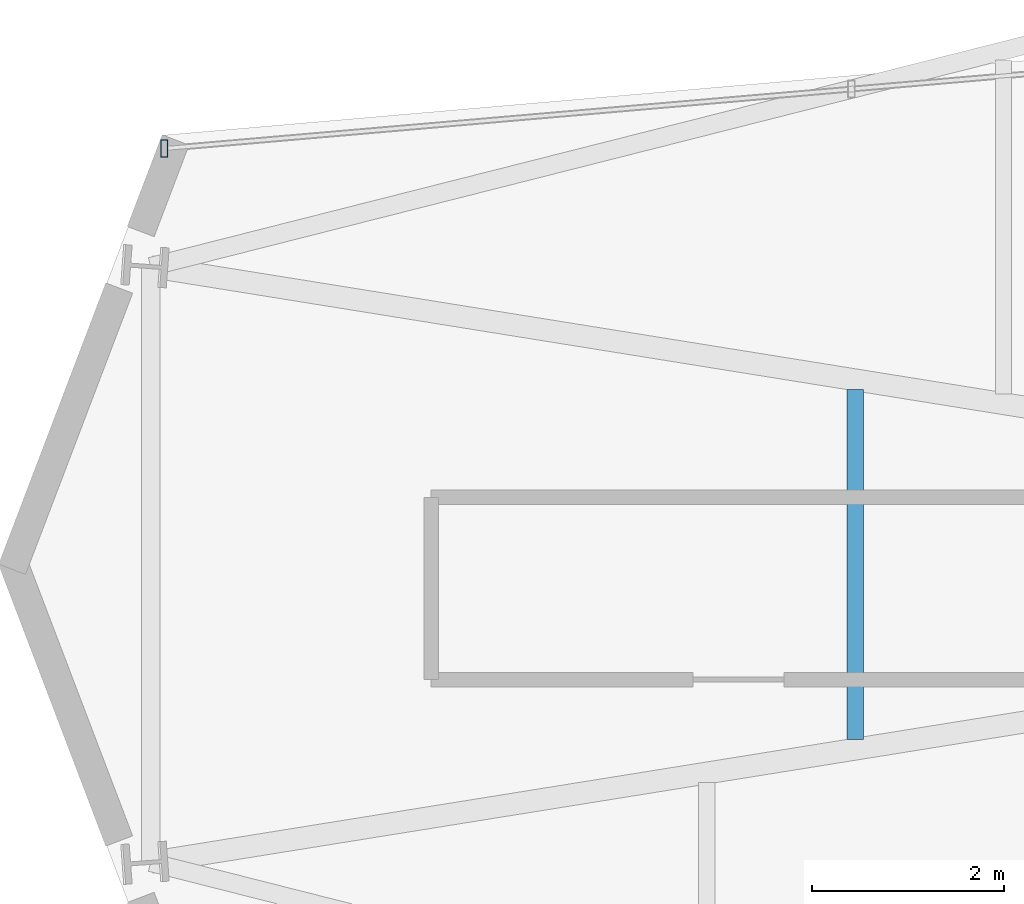
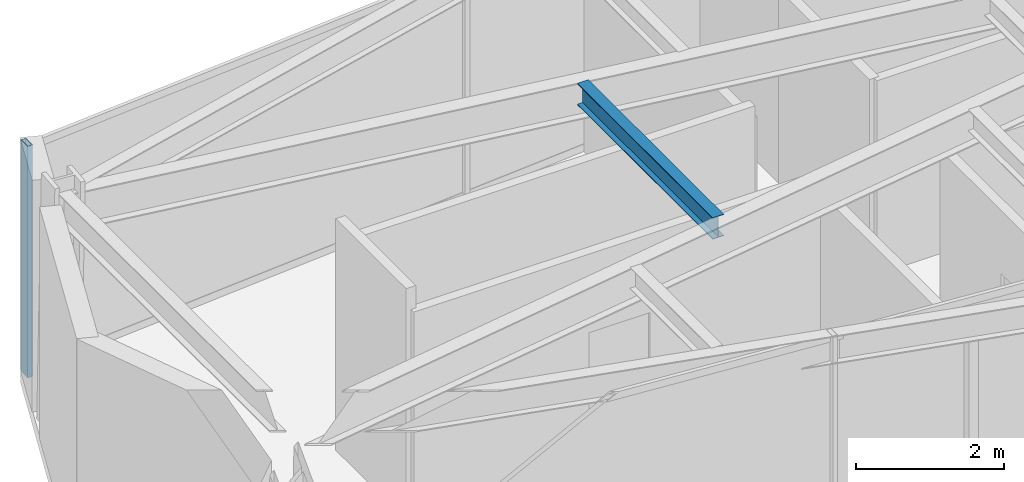
# One storey, part 7 of 23: 1 beam, 1 member, 1 element without a shape of its own.
"""IFC4 building model written with IfcOpenShell, lengths in metres."""

from ifc_helpers import new_model, si_unit, direction, frame, origin, origin_2d, place, context, subcontext, project, spatial, hollow_rectangle, i_section, extrude, material, layer, layer_set, material_profile, profile_set, type_object, element, aggregate, save


model = new_model("IFC4")

# Units and contexts
model_context = context("Model", 3, precision=1e-05, world=origin(), true_north=direction((0.0, 1.0)))
body_context = subcontext(model_context, "Body", "Model", "MODEL_VIEW")
ifc_project = project(units=[si_unit("LENGTHUNIT", "METRE"), si_unit("AREAUNIT", "SQUARE_METRE"), si_unit("VOLUMEUNIT", "CUBIC_METRE"), si_unit("PLANEANGLEUNIT", "RADIAN"), si_unit("MASSUNIT", "GRAM", prefix="KILO")], contexts=[model_context])

# Site, building, storey
site_placement = place(None, origin())
site = spatial("IfcSite", under=ifc_project, at=site_placement, CompositionType="ELEMENT")
building_placement = place(site_placement, origin())
building = spatial("IfcBuilding", under=site, at=building_placement, Name="Veymaron Broadcast Tower", CompositionType="ELEMENT")
storey_placement = place(building_placement, frame((0.0, 0.0, 161.39990234375)))
storey = spatial("IfcBuildingStorey", under=building, at=storey_placement, Name="L37", CompositionType="ELEMENT", Elevation=161.39990234375)

# Beam
ifc_material_1 = material(Name="Structural steel ASTM A992 Gr 50", Category="steel")
ifc_material_profile_1 = material_profile(ifc_material_1, i_section(OverallWidth=0.1708984375, OverallDepth=0.35498046875, WebThickness=0.007080078125, FlangeThickness=0.01171875, at=origin_2d()), Name="W360X51")
ifc_profile_set_1 = profile_set([ifc_material_profile_1], Name="Structural steel ASTM A992 Gr 50")
beam_type = type_object("IfcBeamType", Name="BM-JS2", PredefinedType="JOIST", material=ifc_profile_set_1)
beam_placement = place(storey_placement, frame((19.216064453125, 22.1748046875, 3.632568359375), z_axis=(0.0, 1.0, 0.0), x_axis=(-1.0, 0.0, 0.0)))
element("IfcBeam", 1, at=beam_placement, inside=storey, type_object=beam_type, Name="L37 Arm-A secondary joist 1M", PredefinedType="JOIST", context=body_context, shape_type="SweptSolid", body=[
    extrude(i_section(OverallWidth=0.1708984375, OverallDepth=0.35498046875, WebThickness=0.007080078125, FlangeThickness=0.01171875, at=origin_2d()), origin(), (0.0, 0.0, 1.0), 3.650390625),
])

# Curtain wall, member
ifc_material_2 = material(Name="Anodised aluminium AA 6063-T6 and laminated low-E dark glass", Category="aluminium")
ifc_layer = layer(ifc_material_2, 0.179931640625)
ifc_layer_set = layer_set([ifc_layer], Name="Anodised aluminium AA 6063-T6 and laminated low-E dark glass")
curtain_wall_type = type_object("IfcCurtainWallType", Name="CW-SYS-03", PredefinedType="NOTDEFINED", material=ifc_layer_set)
curtain_wall_placement = place(storey_placement, origin())
curtain_wall = element("IfcCurtainWall", 2, at=curtain_wall_placement, inside=storey, type_object=curtain_wall_type, Name="L37 dark-glass curtain wall CW-L37-E11-1", PredefinedType="NOTDEFINED")
ifc_material_3 = material(Name="Anodised aluminium AA 6063-T6", Category="aluminium")
ifc_material_profile_2 = material_profile(ifc_material_3, hollow_rectangle(XDim=0.074951171875, YDim=0.179931640625, WallThickness=0.0048828125, at=origin_2d()), Name="AL180X75X5")
ifc_profile_set_2 = profile_set([ifc_material_profile_2], Name="Anodised aluminium AA 6063-T6")
member_type = type_object("IfcMemberType", Name="CW-MUL-02", PredefinedType="MULLION", material=ifc_profile_set_2)
member_placement = place(storey_placement, frame((12.01220703125, 28.3359375, 0.0), z_axis=(0.0, 0.0, 1.0), x_axis=(1.0, 0.0, 0.0)))
member = element("IfcMember", 3, at=member_placement, type_object=member_type, Name="CW-L37-E11-1 mullion 2", PredefinedType="MULLION", context=body_context, shape_type="SweptSolid", body=[
    extrude(hollow_rectangle(XDim=0.074951171875, YDim=0.179931640625, WallThickness=0.0048828125, at=origin_2d()), origin(), (0.0, 0.0, 1.0), 3.81005859375),
])
aggregate(curtain_wall, [member])

save(model, "model.ifc")
